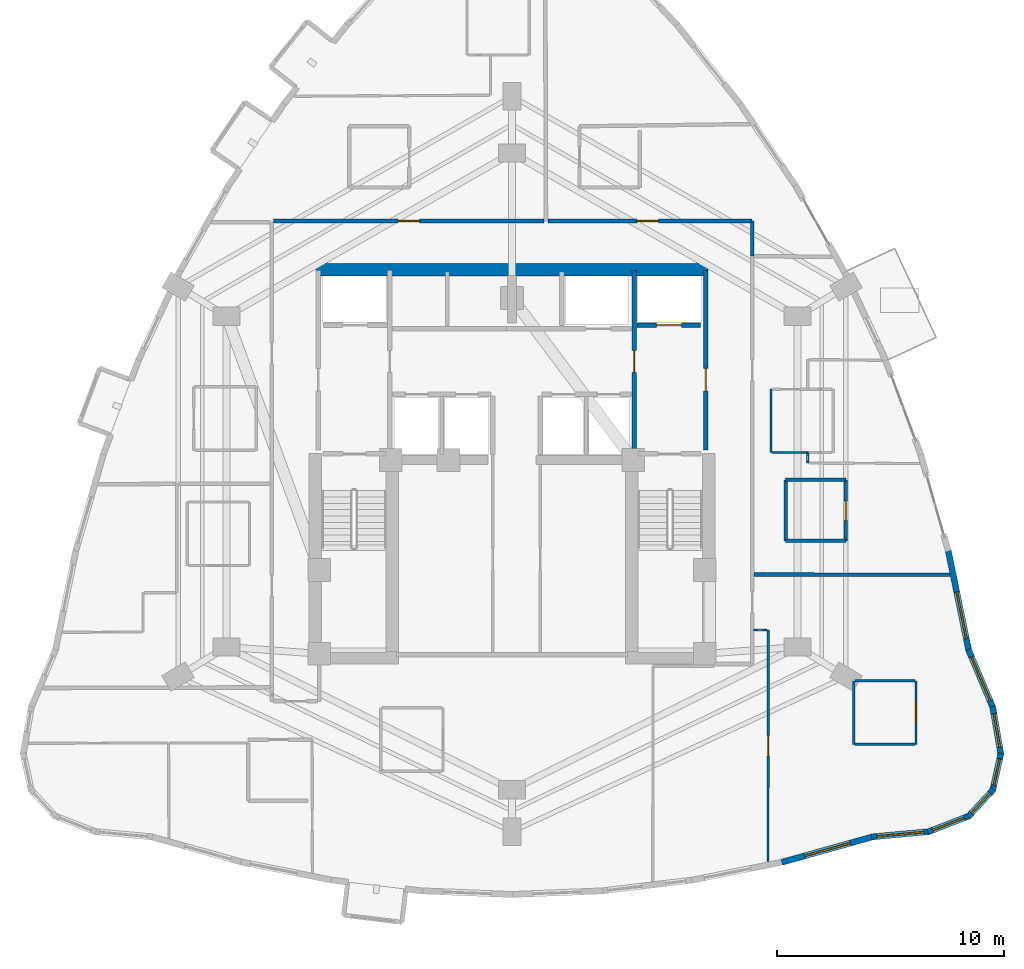
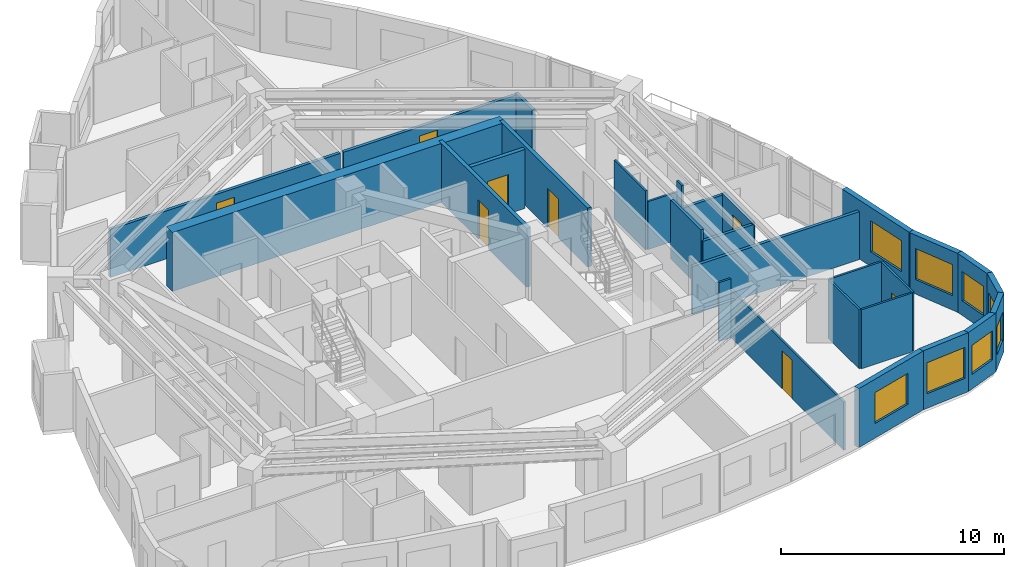
# One storey, part 11 of 14: 29 walls, 8 doors, 8 windows, 16 openings.
"""IFC4 building model written with IfcOpenShell, lengths in metres."""

from ifc_helpers import new_model, si_unit, direction, frame, frame_2d, origin, place, context, subcontext, project, spatial, rectangle, extrude, material, layer, layer_set, type_object, element, fill, save


model = new_model("IFC4")

# Units and contexts
model_context = context("Model", 3, precision=1e-05, world=origin(), true_north=direction((0.0, 1.0)))
body_context = subcontext(model_context, "Body", "Model", "MODEL_VIEW")
ifc_project = project(units=[si_unit("LENGTHUNIT", "METRE"), si_unit("AREAUNIT", "SQUARE_METRE"), si_unit("VOLUMEUNIT", "CUBIC_METRE"), si_unit("PLANEANGLEUNIT", "RADIAN"), si_unit("MASSUNIT", "GRAM", prefix="KILO")], contexts=[model_context])

# Site, building, storey
site_placement = place(None, origin())
site = spatial("IfcSite", under=ifc_project, at=site_placement, CompositionType="ELEMENT")
building_placement = place(site_placement, origin())
building = spatial("IfcBuilding", under=site, at=building_placement, Name="Miruveldt Soraemaru", CompositionType="ELEMENT")
storey_placement = place(building_placement, frame((0.0, 0.0, 142.39990234375)))
storey = spatial("IfcBuildingStorey", under=building, at=storey_placement, Name="L39", CompositionType="ELEMENT", Elevation=142.39990234375)

# Wall
ifc_material_1 = material(Name="Concrete C70/85 (70 MPa)", Category="concrete")
ifc_layer_1 = layer(ifc_material_1, 0.550048828125, Name="Concrete C70/85 (70 MPa)", Category="concrete")
ifc_layer_set_1 = layer_set([ifc_layer_1], Name="Concrete C70/85 (70 MPa)")
wall_type_1 = type_object("IfcWallType", Name="WALL-CW-550", PredefinedType="SHEAR", material=ifc_layer_set_1)
wall_1_placement = place(storey_placement, frame((35.35009765625, 52.449951171875, 0.0), z_axis=(0.0, 0.0, 1.0), x_axis=(1.0, 0.0, 0.0)))
element("IfcWall", 1, at=wall_1_placement, inside=storey, type_object=wall_type_1, Name="L39 Central Core Shear Wall N", PredefinedType="SHEAR", context=body_context, shape_type="SweptSolid", body=[
    extrude(rectangle(XDim=17.2998046875, YDim=0.550048828125, at=frame_2d((8.64990234375, 0.0))), origin(), (0.0, 0.0, 1.0), 3.235107421875),
])

# Wall, opening, window
ifc_material_2 = material(Name="Precast concrete C45/55 (45 MPa)", Category="concrete")
ifc_layer_2 = layer(ifc_material_2, 0.27001953125, Name="Precast concrete C45/55 (45 MPa)", Category="concrete")
ifc_layer_set_2 = layer_set([ifc_layer_2], Name="Precast concrete C45/55 (45 MPa)")
wall_type_2 = type_object("IfcWallType", Name="WALL-EXT-PC270", PredefinedType="SOLIDWALL", material=ifc_layer_set_2)
wall_2_placement = place(storey_placement, frame((55.900634765625, 26.29541015625, 0.0), z_axis=(0.0, 0.0, 1.0), x_axis=(0.962977296409, 0.269582504257, 0.0)))
wall_2 = element("IfcWall", 2, at=wall_2_placement, inside=storey, type_object=wall_type_2, Name="L39 Precast Concrete Facade Wall 28", PredefinedType="SOLIDWALL", context=body_context, shape_type="SweptSolid", body=[
    extrude(rectangle(XDim=4.201171875, YDim=0.27001953125, at=frame_2d((2.1005859375, 0.0))), origin(), (0.0, 0.0, 1.0), 3.235107421875),
])
opening_1_placement = place(wall_2_placement, frame((1.050048828125, 0.0, 0.800048828125)))
opening_1 = element("IfcOpeningElement", 3, at=opening_1_placement, cuts=wall_2, Name="Opening WN-1", PredefinedType="OPENING", context=body_context, shape_type="SweptSolid", body=[
    extrude(rectangle(XDim=2.10009765625, YDim=1.699951171875, at=frame_2d((1.050048828125, 0.85009765625))), frame((0.0, 0.14501953125, 0.0), z_axis=(0.0, -1.0, 0.0), x_axis=(1.0, 0.0, 0.0)), (0.0, 0.0, 1.0), 0.2900390625),
])
ifc_material_3 = material(Name="Triple low-e insulated glazing", Category="glass")
window_type_1 = type_object("IfcWindowType", Name="WIN-PUNCH-2100x1700", PartitioningType="SINGLE_PANEL", PredefinedType="WINDOW", material=ifc_material_3)
window_1_placement = place(opening_1_placement, origin())
window_1 = element("IfcWindow", 4, at=window_1_placement, inside=storey, type_object=window_type_1, Name="L39 Punched Triple-Glazed Window 28.1", OverallHeight=1.699951171875, OverallWidth=2.10009765625, PartitioningType="SINGLE_PANEL", PredefinedType="WINDOW", context=body_context, shape_type="SweptSolid", body=[
    extrude(rectangle(XDim=2.10009765625, YDim=1.699951171875, at=frame_2d((1.050048828125, 0.85009765625))), frame((0.0, 0.030029296875, 0.0), z_axis=(0.0, -1.0, 0.0), x_axis=(1.0, 0.0, 0.0)), (0.0, 0.0, 1.0), 0.06005859375),
])
fill(opening_1, window_1)

wall_3_placement = place(storey_placement, frame((59.877685546875, 27.415283203125, 0.0), z_axis=(0.0, 0.0, 1.0), x_axis=(0.995757534338, 0.092015937797, 0.0)))
wall_3 = element("IfcWall", 5, at=wall_3_placement, inside=storey, type_object=wall_type_2, Name="L39 Precast Concrete Facade Wall 29", PredefinedType="SOLIDWALL", context=body_context, shape_type="SweptSolid", body=[
    extrude(rectangle(XDim=2.5576171875, YDim=0.27001953125, at=frame_2d((1.27880859375, 0.0))), origin(), (0.0, 0.0, 1.0), 3.235107421875),
])
opening_2_placement = place(wall_3_placement, frame((0.22900390625, 0.0, 0.800048828125)))
opening_2 = element("IfcOpeningElement", 6, at=opening_2_placement, cuts=wall_3, Name="Opening WN-1", PredefinedType="OPENING", context=body_context, shape_type="SweptSolid", body=[
    extrude(rectangle(XDim=2.10009765625, YDim=1.699951171875, at=frame_2d((1.050048828125, 0.85009765625))), frame((0.0, 0.14501953125, 0.0), z_axis=(0.0, -1.0, 0.0), x_axis=(1.0, 0.0, 0.0)), (0.0, 0.0, 1.0), 0.2900390625),
])
window_2_placement = place(opening_2_placement, origin())
window_2 = element("IfcWindow", 7, at=window_2_placement, inside=storey, type_object=window_type_1, Name="L39 Punched Triple-Glazed Window 29.1", OverallHeight=1.699951171875, OverallWidth=2.10009765625, PartitioningType="SINGLE_PANEL", PredefinedType="WINDOW", context=body_context, shape_type="SweptSolid", body=[
    extrude(rectangle(XDim=2.10009765625, YDim=1.699951171875, at=frame_2d((1.050048828125, 0.85009765625))), frame((0.0, 0.030029296875, 0.0), z_axis=(0.0, -1.0, 0.0), x_axis=(1.0, 0.0, 0.0)), (0.0, 0.0, 1.0), 0.06005859375),
])
fill(opening_2, window_2)

wall_4_placement = place(storey_placement, frame((62.35693359375, 27.634765625, 0.0), z_axis=(0.0, 0.0, 1.0), x_axis=(0.932276798219, 0.361745727692, 0.0)))
wall_4 = element("IfcWall", 8, at=wall_4_placement, inside=storey, type_object=wall_type_2, Name="L39 Precast Concrete Facade Wall 30", PredefinedType="SOLIDWALL", context=body_context, shape_type="SweptSolid", body=[
    extrude(rectangle(XDim=1.968017578125, YDim=0.27001953125, at=frame_2d((0.98388671875, 0.0))), origin(), (0.0, 0.0, 1.0), 3.235107421875),
])
opening_3_placement = place(wall_4_placement, frame((0.23388671875, 0.0, 0.800048828125)))
opening_3 = element("IfcOpeningElement", 9, at=opening_3_placement, cuts=wall_4, Name="Opening WN-3", PredefinedType="OPENING", context=body_context, shape_type="SweptSolid", body=[
    extrude(rectangle(XDim=1.5, YDim=1.60009765625, at=frame_2d((0.75, 0.800048828125))), frame((0.0, 0.14501953125, 0.0), z_axis=(0.0, -1.0, 0.0), x_axis=(1.0, 0.0, 0.0)), (0.0, 0.0, 1.0), 0.2900390625),
])
window_type_2 = type_object("IfcWindowType", Name="WIN-PUNCH-1500x1600", PartitioningType="SINGLE_PANEL", PredefinedType="WINDOW", material=ifc_material_3)
window_3_placement = place(opening_3_placement, origin())
window_3 = element("IfcWindow", 10, at=window_3_placement, inside=storey, type_object=window_type_2, Name="L39 Punched Triple-Glazed Window 30.1", OverallHeight=1.60009765625, OverallWidth=1.5, PartitioningType="SINGLE_PANEL", PredefinedType="WINDOW", context=body_context, shape_type="SweptSolid", body=[
    extrude(rectangle(XDim=1.5, YDim=1.60009765625, at=frame_2d((0.75, 0.800048828125))), frame((0.0, 0.030029296875, 0.0), z_axis=(0.0, -1.0, 0.0), x_axis=(1.0, 0.0, 0.0)), (0.0, 0.0, 1.0), 0.06005859375),
])
fill(opening_3, window_3)

wall_5_placement = place(storey_placement, frame((64.13525390625, 28.30810546875, 0.0), z_axis=(0.0, 0.0, 1.0), x_axis=(0.680112240973, 0.73310800001, 0.0)))
wall_5 = element("IfcWall", 11, at=wall_5_placement, inside=storey, type_object=wall_type_2, Name="L39 Precast Concrete Facade Wall 31", PredefinedType="SOLIDWALL", context=body_context, shape_type="SweptSolid", body=[
    extrude(rectangle(XDim=1.630859375, YDim=0.27001953125, at=frame_2d((0.8154296875, 0.0))), origin(), (0.0, 0.0, 1.0), 3.235107421875),
])
opening_4_placement = place(wall_5_placement, frame((0.216064453125, 0.0, 0.780029296875)))
opening_4 = element("IfcOpeningElement", 12, at=opening_4_placement, cuts=wall_5, Name="Opening WN-4", PredefinedType="OPENING", context=body_context, shape_type="SweptSolid", body=[
    extrude(rectangle(XDim=1.199951171875, YDim=1.550048828125, at=frame_2d((0.60009765625, 0.77490234375))), frame((0.0, 0.14501953125, 0.0), z_axis=(0.0, -1.0, 0.0), x_axis=(1.0, 0.0, 0.0)), (0.0, 0.0, 1.0), 0.2900390625),
])
window_type_3 = type_object("IfcWindowType", Name="WIN-PUNCH-1200x1550", PartitioningType="SINGLE_PANEL", PredefinedType="WINDOW", material=ifc_material_3)
window_4_placement = place(opening_4_placement, origin())
window_4 = element("IfcWindow", 13, at=window_4_placement, inside=storey, type_object=window_type_3, Name="L39 Punched Triple-Glazed Window 31.1", OverallHeight=1.550048828125, OverallWidth=1.199951171875, PartitioningType="SINGLE_PANEL", PredefinedType="WINDOW", context=body_context, shape_type="SweptSolid", body=[
    extrude(rectangle(XDim=1.199951171875, YDim=1.550048828125, at=frame_2d((0.60009765625, 0.77490234375))), frame((0.0, 0.030029296875, 0.0), z_axis=(0.0, -1.0, 0.0), x_axis=(1.0, 0.0, 0.0)), (0.0, 0.0, 1.0), 0.06005859375),
])
fill(opening_4, window_4)

wall_6_placement = place(storey_placement, frame((65.213134765625, 29.44384765625, 0.0), z_axis=(0.0, 0.0, 1.0), x_axis=(0.215811962155, 0.976434942529, 0.0)))
wall_6 = element("IfcWall", 14, at=wall_6_placement, inside=storey, type_object=wall_type_2, Name="L39 Precast Concrete Facade Wall 32", PredefinedType="SOLIDWALL", context=body_context, shape_type="SweptSolid", body=[
    extrude(rectangle(XDim=1.71044921875, YDim=0.27001953125, at=frame_2d((0.855224609375, 0.0))), origin(), (0.0, 0.0, 1.0), 3.235107421875),
])
opening_5_placement = place(wall_6_placement, frame((0.2548828125, 0.0, 0.780029296875)))
opening_5 = element("IfcOpeningElement", 15, at=opening_5_placement, cuts=wall_6, Name="Opening WN-4", PredefinedType="OPENING", context=body_context, shape_type="SweptSolid", body=[
    extrude(rectangle(XDim=1.199951171875, YDim=1.550048828125, at=frame_2d((0.60009765625, 0.77490234375))), frame((0.0, 0.14501953125, 0.0), z_axis=(0.0, -1.0, 0.0), x_axis=(1.0, 0.0, 0.0)), (0.0, 0.0, 1.0), 0.2900390625),
])
window_5_placement = place(opening_5_placement, origin())
window_5 = element("IfcWindow", 16, at=window_5_placement, inside=storey, type_object=window_type_3, Name="L39 Punched Triple-Glazed Window 32.1", OverallHeight=1.550048828125, OverallWidth=1.199951171875, PartitioningType="SINGLE_PANEL", PredefinedType="WINDOW", context=body_context, shape_type="SweptSolid", body=[
    extrude(rectangle(XDim=1.199951171875, YDim=1.550048828125, at=frame_2d((0.60009765625, 0.77490234375))), frame((0.0, 0.030029296875, 0.0), z_axis=(0.0, -1.0, 0.0), x_axis=(1.0, 0.0, 0.0)), (0.0, 0.0, 1.0), 0.06005859375),
])
fill(opening_5, window_5)

wall_7_placement = place(storey_placement, frame((65.58056640625, 31.04541015625, 0.0), z_axis=(0.0, 0.0, 1.0), x_axis=(-0.169346607256, 0.985556556779, 0.0)))
wall_7 = element("IfcWall", 17, at=wall_7_placement, inside=storey, type_object=wall_type_2, Name="L39 Precast Concrete Facade Wall 33", PredefinedType="SOLIDWALL", context=body_context, shape_type="SweptSolid", body=[
    extrude(rectangle(XDim=2.15966796875, YDim=0.27001953125, at=frame_2d((1.079833984375, 0.0))), origin(), (0.0, 0.0, 1.0), 3.235107421875),
])
opening_6_placement = place(wall_7_placement, frame((0.330078125, 0.0, 0.800048828125)))
opening_6 = element("IfcOpeningElement", 18, at=opening_6_placement, cuts=wall_7, Name="Opening WN-3", PredefinedType="OPENING", context=body_context, shape_type="SweptSolid", body=[
    extrude(rectangle(XDim=1.5, YDim=1.60009765625, at=frame_2d((0.75, 0.800048828125))), frame((0.0, 0.14501953125, 0.0), z_axis=(0.0, -1.0, 0.0), x_axis=(1.0, 0.0, 0.0)), (0.0, 0.0, 1.0), 0.2900390625),
])
window_6_placement = place(opening_6_placement, origin())
window_6 = element("IfcWindow", 19, at=window_6_placement, inside=storey, type_object=window_type_2, Name="L39 Punched Triple-Glazed Window 33.1", OverallHeight=1.60009765625, OverallWidth=1.5, PartitioningType="SINGLE_PANEL", PredefinedType="WINDOW", context=body_context, shape_type="SweptSolid", body=[
    extrude(rectangle(XDim=1.5, YDim=1.60009765625, at=frame_2d((0.75, 0.800048828125))), frame((0.0, 0.030029296875, 0.0), z_axis=(0.0, -1.0, 0.0), x_axis=(1.0, 0.0, 0.0)), (0.0, 0.0, 1.0), 0.06005859375),
])
fill(opening_6, window_6)

wall_8_placement = place(storey_placement, frame((65.234375, 33.107177734375, 0.0), z_axis=(0.0, 0.0, 1.0), x_axis=(-0.388633467157, 0.921392439846, 0.0)))
wall_8 = element("IfcWall", 20, at=wall_8_placement, inside=storey, type_object=wall_type_2, Name="L39 Precast Concrete Facade Wall 34", PredefinedType="SOLIDWALL", context=body_context, shape_type="SweptSolid", body=[
    extrude(rectangle(XDim=2.8017578125, YDim=0.27001953125, at=frame_2d((1.40087890625, 0.0))), origin(), (0.0, 0.0, 1.0), 3.235107421875),
])
opening_7_placement = place(wall_8_placement, frame((0.35107421875, 0.0, 0.800048828125)))
opening_7 = element("IfcOpeningElement", 21, at=opening_7_placement, cuts=wall_8, Name="Opening WN-1", PredefinedType="OPENING", context=body_context, shape_type="SweptSolid", body=[
    extrude(rectangle(XDim=2.10009765625, YDim=1.699951171875, at=frame_2d((1.050048828125, 0.85009765625))), frame((0.0, 0.14501953125, 0.0), z_axis=(0.0, -1.0, 0.0), x_axis=(1.0, 0.0, 0.0)), (0.0, 0.0, 1.0), 0.2900390625),
])
window_7_placement = place(opening_7_placement, origin())
window_7 = element("IfcWindow", 22, at=window_7_placement, inside=storey, type_object=window_type_1, Name="L39 Punched Triple-Glazed Window 34.1", OverallHeight=1.699951171875, OverallWidth=2.10009765625, PartitioningType="SINGLE_PANEL", PredefinedType="WINDOW", context=body_context, shape_type="SweptSolid", body=[
    extrude(rectangle(XDim=2.10009765625, YDim=1.699951171875, at=frame_2d((1.050048828125, 0.85009765625))), frame((0.0, 0.030029296875, 0.0), z_axis=(0.0, -1.0, 0.0), x_axis=(1.0, 0.0, 0.0)), (0.0, 0.0, 1.0), 0.06005859375),
])
fill(opening_7, window_7)

wall_9_placement = place(storey_placement, frame((64.166259765625, 35.622314453125, 0.0), z_axis=(0.0, 0.0, 1.0), x_axis=(-0.201589720154, 0.979470053002, 0.0)))
wall_9 = element("IfcWall", 23, at=wall_9_placement, inside=storey, type_object=wall_type_2, Name="L39 Precast Concrete Facade Wall 35", PredefinedType="SOLIDWALL", context=body_context, shape_type="SweptSolid", body=[
    extrude(rectangle(XDim=4.577880859375, YDim=0.27001953125, at=frame_2d((2.2890625, 0.0))), origin(), (0.0, 0.0, 1.0), 3.235107421875),
])
opening_8_placement = place(wall_9_placement, frame((0.56396484375, 0.0, 0.800048828125)))
opening_8 = element("IfcOpeningElement", 24, at=opening_8_placement, cuts=wall_9, Name="Opening WN-1", PredefinedType="OPENING", context=body_context, shape_type="SweptSolid", body=[
    extrude(rectangle(XDim=2.10009765625, YDim=1.699951171875, at=frame_2d((1.050048828125, 0.85009765625))), frame((0.0, 0.14501953125, 0.0), z_axis=(0.0, -1.0, 0.0), x_axis=(1.0, 0.0, 0.0)), (0.0, 0.0, 1.0), 0.2900390625),
])
window_8_placement = place(opening_8_placement, origin())
window_8 = element("IfcWindow", 25, at=window_8_placement, inside=storey, type_object=window_type_1, Name="L39 Punched Triple-Glazed Window 35.1", OverallHeight=1.699951171875, OverallWidth=2.10009765625, PartitioningType="SINGLE_PANEL", PredefinedType="WINDOW", context=body_context, shape_type="SweptSolid", body=[
    extrude(rectangle(XDim=2.10009765625, YDim=1.699951171875, at=frame_2d((1.050048828125, 0.85009765625))), frame((0.0, 0.030029296875, 0.0), z_axis=(0.0, -1.0, 0.0), x_axis=(1.0, 0.0, 0.0)), (0.0, 0.0, 1.0), 0.06005859375),
])
fill(opening_8, window_8)

# Wall, opening, door
ifc_material_4 = material(Name="Gypsum plasterboard lining", Category="gypsum")
ifc_layer_3 = layer(ifc_material_4, 0.10009765625, Name="Gypsum plasterboard lining", Category="gypsum")
ifc_layer_set_3 = layer_set([ifc_layer_3], Name="Gypsum plasterboard lining")
wall_type_3 = type_object("IfcWallType", Name="WALL-INT-P100", PredefinedType="PARTITIONING", material=ifc_layer_set_3)
wall_10_placement = place(storey_placement, frame((55.31298828125, 36.551025390625, 0.0), z_axis=(0.0, 0.0, 1.0), x_axis=(-0.001361648006, -0.999999072957, 0.0)))
wall_10 = element("IfcWall", 26, at=wall_10_placement, inside=storey, type_object=wall_type_3, Name="L39 Partition Wall 64", PredefinedType="PARTITIONING", context=body_context, shape_type="SweptSolid", body=[
    extrude(rectangle(XDim=10.219970703125, YDim=0.10009765625, at=frame_2d((5.10986328125, 0.0))), origin(), (0.0, 0.0, 1.0), 2.635009765625),
])
opening_9_placement = place(wall_10_placement, frame((4.64990234375, 0.0, 0.0)))
opening_9 = element("IfcOpeningElement", 27, at=opening_9_placement, cuts=wall_10, Name="Opening D3A", PredefinedType="OPENING", context=body_context, shape_type="SweptSolid", body=[
    extrude(rectangle(XDim=0.919921875, YDim=2.10009765625, at=frame_2d((0.4599609375, 1.050048828125))), frame((0.0, 0.06005859375, 0.0), z_axis=(0.0, -1.0, 0.0), x_axis=(1.0, 0.0, 0.0)), (0.0, 0.0, 1.0), 0.1201171875),
])
ifc_material_5 = material(Name="Anodised aluminium EN AW-6063 T6", Category="aluminium")
door_type_1 = type_object("IfcDoorType", Name="DOOR-INT-920", OperationType="NOTDEFINED", PredefinedType="DOOR", material=ifc_material_5)
door_1_placement = place(opening_9_placement, origin())
door_1 = element("IfcDoor", 28, at=door_1_placement, inside=storey, type_object=door_type_1, Name="L39 Unit 3906 BD1 Door", OperationType="SINGLE_SWING_LEFT", OverallHeight=2.10009765625, OverallWidth=0.919921875, PredefinedType="DOOR", context=body_context, shape_type="SweptSolid", body=[
    extrude(rectangle(XDim=0.919921875, YDim=2.10009765625, at=frame_2d((0.4599609375, 1.050048828125))), frame((0.0, 0.02490234375, 0.0), z_axis=(0.0, -1.0, 0.0), x_axis=(1.0, 0.0, 0.0)), (0.0, 0.0, 1.0), 0.050048828125),
])
fill(opening_9, door_1)

wall_11_placement = place(storey_placement, frame((61.830078125, 31.5048828125, 0.0), z_axis=(0.0, 0.0, 1.0), x_axis=(0.0, 1.0, 0.0)))
wall_11 = element("IfcWall", 29, at=wall_11_placement, inside=storey, type_object=wall_type_3, Name="L39 Partition Wall 59", PredefinedType="PARTITIONING", context=body_context, shape_type="SweptSolid", body=[
    extrude(rectangle(XDim=2.800048828125, YDim=0.10009765625, at=frame_2d((1.39990234375, 0.0))), origin(), (0.0, 0.0, 1.0), 3.235107421875),
])
opening_10_placement = place(wall_11_placement, frame((0.93994140625, 0.0, 0.0)))
opening_10 = element("IfcOpeningElement", 30, at=opening_10_placement, cuts=wall_11, Name="Opening D3A", PredefinedType="OPENING", context=body_context, shape_type="SweptSolid", body=[
    extrude(rectangle(XDim=0.919921875, YDim=2.10009765625, at=frame_2d((0.4599609375, 1.050048828125))), frame((0.0, 0.06005859375, 0.0), z_axis=(0.0, -1.0, 0.0), x_axis=(1.0, 0.0, 0.0)), (0.0, 0.0, 1.0), 0.1201171875),
])
door_2_placement = place(opening_10_placement, origin())
door_2 = element("IfcDoor", 31, at=door_2_placement, inside=storey, type_object=door_type_1, Name="L39 Unit 3906 KIT Door", OperationType="SINGLE_SWING_RIGHT", OverallHeight=2.10009765625, OverallWidth=0.919921875, PredefinedType="DOOR", context=body_context, shape_type="SweptSolid", body=[
    extrude(rectangle(XDim=0.919921875, YDim=2.10009765625, at=frame_2d((0.4599609375, 1.050048828125))), frame((0.0, 0.02490234375, 0.0), z_axis=(0.0, -1.0, 0.0), x_axis=(1.0, 0.0, 0.0)), (0.0, 0.0, 1.0), 0.050048828125),
])
fill(opening_10, door_2)

# Walls
wall_12_placement = place(storey_placement, frame((59.080078125, 34.304931640625, 0.0), z_axis=(0.0, 0.0, 1.0), x_axis=(0.0, -1.0, 0.0)))
element("IfcWall", 32, at=wall_12_placement, inside=storey, type_object=wall_type_3, Name="L39 Partition Wall 61", PredefinedType="PARTITIONING", context=body_context, shape_type="SweptSolid", body=[
    extrude(rectangle(XDim=2.800048828125, YDim=0.10009765625, at=frame_2d((1.39990234375, 0.0))), origin(), (0.0, 0.0, 1.0), 3.235107421875),
])
wall_13_placement = place(storey_placement, frame((55.429931640625, 47.180908203125, 0.0), z_axis=(0.0, 0.0, 1.0), x_axis=(0.0, -1.0, 0.0)))
element("IfcWall", 33, at=wall_13_placement, inside=storey, type_object=wall_type_3, Name="L39 Partition Wall 71", PredefinedType="PARTITIONING", context=body_context, shape_type="SweptSolid", body=[
    extrude(rectangle(XDim=2.7998046875, YDim=0.10009765625, at=frame_2d((1.39990234375, 0.0))), origin(), (0.0, 0.0, 1.0), 3.235107421875),
])
for number, where, z_axis, x_axis, name in (
    (34, (61.780029296875, 34.304931640625, 0.0), (0.0, 0.0, 1.0), (-1.0, 0.0, 0.0), "L39 Partition Wall 60"),
    (35, (59.1298828125, 31.5048828125, 0.0), (0.0, 0.0, 1.0), (1.0, 0.0, 0.0), "L39 Partition Wall 62"),
):
    element("IfcWall", number, at=place(storey_placement, frame(where, z_axis=z_axis, x_axis=x_axis)), inside=storey, type_object=wall_type_3, Name=name, PredefinedType="PARTITIONING", context=body_context, shape_type="SweptSolid", body=[
        extrude(rectangle(XDim=2.650146484375, YDim=0.10009765625, at=frame_2d((1.3251953125, 0.0))), origin(), (0.0, 0.0, 1.0), 3.235107421875),
    ])
wall_14_placement = place(storey_placement, frame((55.47998046875, 44.381103515625, 0.0), z_axis=(0.0, 0.0, 1.0), x_axis=(1.0, 0.0, 0.0)))
element("IfcWall", 36, at=wall_14_placement, inside=storey, type_object=wall_type_3, Name="L39 Partition Wall 72", PredefinedType="PARTITIONING", context=body_context, shape_type="SweptSolid", body=[
    extrude(rectangle(XDim=1.610107421875, YDim=0.10009765625, at=frame_2d((0.80517578125, 0.0))), origin(), (0.0, 0.0, 1.0), 2.635009765625),
])
wall_15_placement = place(storey_placement, frame((54.64990234375, 36.551025390625, 0.0), z_axis=(0.0, 0.0, 1.0), x_axis=(1.0, 0.0, 0.0)))
element("IfcWall", 37, at=wall_15_placement, inside=storey, type_object=wall_type_3, Name="L39 Partition Wall 63", PredefinedType="PARTITIONING", context=body_context, shape_type="SweptSolid", body=[
    extrude(rectangle(XDim=0.613037109375, YDim=0.10009765625, at=frame_2d((0.306640625, 0.0))), origin(), (0.0, 0.0, 1.0), 3.235107421875),
])
wall_16_placement = place(storey_placement, frame((57.050048828125, 43.91796875, 0.0), z_axis=(0.0, 0.0, 1.0), x_axis=(0.0, 1.0, 0.0)))
element("IfcWall", 38, at=wall_16_placement, inside=storey, type_object=wall_type_3, Name="L39 Partition Wall 74", PredefinedType="PARTITIONING", context=body_context, shape_type="SweptSolid", body=[
    extrude(rectangle(XDim=0.463134765625, YDim=0.10009765625, at=frame_2d((0.2314453125, 0.0))), origin(), (0.0, 0.0, 1.0), 3.235107421875),
])

# Wall, opening, door
ifc_layer_4 = layer(ifc_material_4, 0.14990234375, Name="Gypsum plasterboard lining", Category="gypsum")
ifc_layer_set_4 = layer_set([ifc_layer_4], Name="Gypsum plasterboard lining")
wall_type_4 = type_object("IfcWallType", Name="WALL-INT-PLUMB", PredefinedType="PLUMBINGWALL", material=ifc_layer_set_4)
wall_17_placement = place(storey_placement, frame((58.72998046875, 40.48095703125, 0.0), z_axis=(0.0, 0.0, 1.0), x_axis=(0.0, 1.0, 0.0)))
wall_17 = element("IfcWall", 39, at=wall_17_placement, inside=storey, type_object=wall_type_4, Name="L39 Partition Wall 66", PredefinedType="PLUMBINGWALL", context=body_context, shape_type="SweptSolid", body=[
    extrude(rectangle(XDim=2.699951171875, YDim=0.14990234375, at=frame_2d((1.35009765625, 0.0))), origin(), (0.0, 0.0, 1.0), 2.72314453125),
])
opening_11_placement = place(wall_17_placement, frame((0.909912109375, 0.0, 0.0)))
opening_11 = element("IfcOpeningElement", 40, at=opening_11_placement, cuts=wall_17, Name="Opening FD3", PredefinedType="OPENING", context=body_context, shape_type="SweptSolid", body=[
    extrude(rectangle(XDim=0.85009765625, YDim=2.10009765625, at=frame_2d((0.425048828125, 1.050048828125))), frame((0.0, 0.0849609375, 0.0), z_axis=(0.0, -1.0, 0.0), x_axis=(1.0, 0.0, 0.0)), (0.0, 0.0, 1.0), 0.169921875),
])
door_type_2 = type_object("IfcDoorType", Name="DOOR-FD3-850", OperationType="NOTDEFINED", PredefinedType="DOOR", material=ifc_material_5)
door_3_placement = place(opening_11_placement, origin())
door_3 = element("IfcDoor", 41, at=door_3_placement, inside=storey, type_object=door_type_2, Name="L39 Unit 3907 BTH Door", OperationType="SINGLE_SWING_LEFT", OverallHeight=2.10009765625, OverallWidth=0.85009765625, PredefinedType="DOOR", context=body_context, shape_type="SweptSolid", body=[
    extrude(rectangle(XDim=0.85009765625, YDim=2.10009765625, at=frame_2d((0.425048828125, 1.050048828125))), frame((0.0, 0.02490234375, 0.0), z_axis=(0.0, -1.0, 0.0), x_axis=(1.0, 0.0, 0.0)), (0.0, 0.0, 1.0), 0.050048828125),
])
fill(opening_11, door_3)

# Walls
wall_18_placement = place(storey_placement, frame((56.080078125, 43.180908203125, 0.0), z_axis=(0.0, 0.0, 1.0), x_axis=(0.0, -1.0, 0.0)))
element("IfcWall", 42, at=wall_18_placement, inside=storey, type_object=wall_type_4, Name="L39 Partition Wall 68", PredefinedType="PLUMBINGWALL", context=body_context, shape_type="SweptSolid", body=[
    extrude(rectangle(XDim=2.699951171875, YDim=0.14990234375, at=frame_2d((1.35009765625, 0.0))), origin(), (0.0, 0.0, 1.0), 3.235107421875),
])
for number, where, z_axis, x_axis, name in (
    (43, (58.72998046875, 43.180908203125, 0.0), (0.0, 0.0, 1.0), (-1.0, 0.0, 0.0), "L39 Partition Wall 67"),
    (44, (56.080078125, 40.48095703125, 0.0), (0.0, 0.0, 1.0), (1.0, 0.0, 0.0), "L39 Partition Wall 69"),
):
    element("IfcWall", number, at=place(storey_placement, frame(where, z_axis=z_axis, x_axis=x_axis)), inside=storey, type_object=wall_type_4, Name=name, PredefinedType="PLUMBINGWALL", context=body_context, shape_type="SweptSolid", body=[
        extrude(rectangle(XDim=2.64990234375, YDim=0.14990234375, at=frame_2d((1.324951171875, 0.0))), origin(), (0.0, 0.0, 1.0), 2.635009765625),
    ])

# Wall, opening, door
ifc_material_6 = material(Name="Concrete C40/50 (40 MPa)", Category="concrete")
ifc_layer_5 = layer(ifc_material_6, 0.159912109375, Name="Concrete C40/50 (40 MPa)", Category="concrete")
ifc_layer_set_5 = layer_set([ifc_layer_5], Name="Concrete C40/50 (40 MPa)")
wall_type_5 = type_object("IfcWallType", Name="WALL-INT-RC160", PredefinedType="SOLIDWALL", material=ifc_layer_set_5)
wall_19_placement = place(storey_placement, frame((45.419921875, 54.60009765625, 0.0), z_axis=(0.0, 0.0, 1.0), x_axis=(-1.0, 0.0, 0.0)))
wall_19 = element("IfcWall", 45, at=wall_19_placement, inside=storey, type_object=wall_type_5, Name="L39 Partition Wall 1", PredefinedType="SOLIDWALL", context=body_context, shape_type="SweptSolid", body=[
    extrude(rectangle(XDim=11.93994140625, YDim=0.159912109375, at=frame_2d((5.969970703125, 0.0))), origin(), (0.0, 0.0, 1.0), 2.635009765625),
])
opening_12_placement = place(wall_19_placement, frame((5.4951171875, 0.0, 0.0)))
opening_12 = element("IfcOpeningElement", 46, at=opening_12_placement, cuts=wall_19, Name="Opening FD2", PredefinedType="OPENING", context=body_context, shape_type="SweptSolid", body=[
    extrude(rectangle(XDim=0.949951171875, YDim=2.14990234375, at=frame_2d((0.47509765625, 1.074951171875))), frame((0.0, 0.08984375, 0.0), z_axis=(0.0, -1.0, 0.0), x_axis=(1.0, 0.0, 0.0)), (0.0, 0.0, 1.0), 0.179931640625),
])
door_type_3 = type_object("IfcDoorType", Name="DOOR-FD2-950", OperationType="NOTDEFINED", PredefinedType="DOOR", material=ifc_material_5)
door_4_placement = place(opening_12_placement, origin())
door_4 = element("IfcDoor", 47, at=door_4_placement, inside=storey, type_object=door_type_3, Name="L39 Unit 3901 Entrance Fire Door", OperationType="SINGLE_SWING_RIGHT", OverallHeight=2.14990234375, OverallWidth=0.949951171875, PredefinedType="DOOR", context=body_context, shape_type="SweptSolid", body=[
    extrude(rectangle(XDim=0.949951171875, YDim=2.14990234375, at=frame_2d((0.47509765625, 1.074951171875))), frame((0.0, 0.02490234375, 0.0), z_axis=(0.0, -1.0, 0.0), x_axis=(1.0, 0.0, 0.0)), (0.0, 0.0, 1.0), 0.050048828125),
])
fill(opening_12, door_4)

wall_20_placement = place(storey_placement, frame((54.60009765625, 54.60009765625, 0.0), z_axis=(0.0, 0.0, 1.0), x_axis=(-1.0, 0.0, 0.0)))
wall_20 = element("IfcWall", 48, at=wall_20_placement, inside=storey, type_object=wall_type_5, Name="L39 Partition Wall 3", PredefinedType="SOLIDWALL", context=body_context, shape_type="SweptSolid", body=[
    extrude(rectangle(XDim=9.01708984375, YDim=0.159912109375, at=frame_2d((4.508544921875, 0.0))), origin(), (0.0, 0.0, 1.0), 2.635009765625),
])
opening_13_placement = place(wall_20_placement, frame((4.14404296875, 0.0, 0.0)))
opening_13 = element("IfcOpeningElement", 49, at=opening_13_placement, cuts=wall_20, Name="Opening FD2", PredefinedType="OPENING", context=body_context, shape_type="SweptSolid", body=[
    extrude(rectangle(XDim=0.949951171875, YDim=2.14990234375, at=frame_2d((0.47509765625, 1.074951171875))), frame((0.0, 0.08984375, 0.0), z_axis=(0.0, -1.0, 0.0), x_axis=(1.0, 0.0, 0.0)), (0.0, 0.0, 1.0), 0.179931640625),
])
door_5_placement = place(opening_13_placement, origin())
door_5 = element("IfcDoor", 50, at=door_5_placement, inside=storey, type_object=door_type_3, Name="L39 Unit CL02 Entrance Fire Door", OperationType="SINGLE_SWING_LEFT", OverallHeight=2.14990234375, OverallWidth=0.949951171875, PredefinedType="DOOR", context=body_context, shape_type="SweptSolid", body=[
    extrude(rectangle(XDim=0.949951171875, YDim=2.14990234375, at=frame_2d((0.47509765625, 1.074951171875))), frame((0.0, 0.02490234375, 0.0), z_axis=(0.0, -1.0, 0.0), x_axis=(1.0, 0.0, 0.0)), (0.0, 0.0, 1.0), 0.050048828125),
])
fill(opening_13, door_5)

# Walls
wall_21_placement = place(storey_placement, frame((63.320068359375, 38.988037109375, 0.0), z_axis=(0.0, 0.0, 1.0), x_axis=(-0.999998877777, 0.001498146833, 0.0)))
element("IfcWall", 51, at=wall_21_placement, inside=storey, type_object=wall_type_5, Name="L39 Partition Wall 65", PredefinedType="SOLIDWALL", context=body_context, shape_type="SweptSolid", body=[
    extrude(rectangle(XDim=8.636962890625, YDim=0.159912109375, at=frame_2d((4.318359375, 0.0))), origin(), (0.0, 0.0, 1.0), 2.635009765625),
])
wall_22_placement = place(storey_placement, frame((54.60009765625, 53.052978515625, 0.0), z_axis=(0.0, 0.0, 1.0), x_axis=(0.0, 1.0, 0.0)))
element("IfcWall", 52, at=wall_22_placement, inside=storey, type_object=wall_type_5, Name="L39 Partition Wall 2", PredefinedType="SOLIDWALL", context=body_context, shape_type="SweptSolid", body=[
    extrude(rectangle(XDim=1.547119140625, YDim=0.159912109375, at=frame_2d((0.7734375, 0.0))), origin(), (0.0, 0.0, 1.0), 2.72314453125),
])

# Wall, opening, door
ifc_layer_6 = layer(ifc_material_6, 0.199951171875, Name="Concrete C40/50 (40 MPa)", Category="concrete")
ifc_layer_set_6 = layer_set([ifc_layer_6], Name="Concrete C40/50 (40 MPa)")
wall_type_6 = type_object("IfcWallType", Name="WALL-INT-RC200", PredefinedType="SOLIDWALL", material=ifc_layer_set_6)
wall_23_placement = place(storey_placement, frame((52.550048828125, 44.5, 0.0), z_axis=(0.0, 0.0, 1.0), x_axis=(0.0, 1.0, 0.0)))
wall_23 = element("IfcWall", 53, at=wall_23_placement, inside=storey, type_object=wall_type_6, Name="L39 Core Compartment Wall FFE-OUT", PredefinedType="SOLIDWALL", context=body_context, shape_type="SweptSolid", body=[
    extrude(rectangle(XDim=7.919921875, YDim=0.199951171875, at=frame_2d((3.9599609375, 0.0))), origin(), (0.0, 0.0, 1.0), 3.235107421875),
])
opening_14_placement = place(wall_23_placement, frame((2.60009765625, 0.0, 0.0)))
opening_14 = element("IfcOpeningElement", 54, at=opening_14_placement, cuts=wall_23, Name="Opening FD1", PredefinedType="OPENING", context=body_context, shape_type="SweptSolid", body=[
    extrude(rectangle(XDim=1.0, YDim=2.14990234375, at=frame_2d((0.5, 1.074951171875))), frame((0.0, 0.10986328125, 0.0), z_axis=(0.0, -1.0, 0.0), x_axis=(1.0, 0.0, 0.0)), (0.0, 0.0, 1.0), 0.219970703125),
])
door_type_4 = type_object("IfcDoorType", Name="DOOR-FD1-1000", OperationType="NOTDEFINED", PredefinedType="DOOR", material=ifc_material_5)
door_6_placement = place(opening_14_placement, frame((1.0, 0.0, 0.0), z_axis=(0.0, 0.0, 1.0), x_axis=(-1.0, 0.0, 0.0)))
door_6 = element("IfcDoor", 55, at=door_6_placement, inside=storey, type_object=door_type_4, Name="L39 East Firefighting Lobby Exit Door", OperationType="SINGLE_SWING_RIGHT", OverallHeight=2.14990234375, OverallWidth=1.0, PredefinedType="DOOR", context=body_context, shape_type="SweptSolid", body=[
    extrude(rectangle(XDim=1.0, YDim=2.14990234375, at=frame_2d((0.5, 1.074951171875))), frame((0.0, 0.02490234375, 0.0), z_axis=(0.0, -1.0, 0.0), x_axis=(1.0, 0.0, 0.0)), (0.0, 0.0, 1.0), 0.050048828125),
])
fill(opening_14, door_6)

wall_24_placement = place(storey_placement, frame((49.39990234375, 44.5, 0.0), z_axis=(0.0, 0.0, 1.0), x_axis=(0.0, 1.0, 0.0)))
wall_24 = element("IfcWall", 56, at=wall_24_placement, inside=storey, type_object=wall_type_6, Name="L39 Core Compartment Wall FFE-IN", PredefinedType="SOLIDWALL", context=body_context, shape_type="SweptSolid", body=[
    extrude(rectangle(XDim=7.919921875, YDim=0.199951171875, at=frame_2d((3.9599609375, 0.0))), origin(), (0.0, 0.0, 1.0), 3.235107421875),
])
opening_15_placement = place(wall_24_placement, frame((3.425048828125, 0.0, 0.0)))
opening_15 = element("IfcOpeningElement", 57, at=opening_15_placement, cuts=wall_24, Name="Opening FD2", PredefinedType="OPENING", context=body_context, shape_type="SweptSolid", body=[
    extrude(rectangle(XDim=0.949951171875, YDim=2.14990234375, at=frame_2d((0.47509765625, 1.074951171875))), frame((0.0, 0.10986328125, 0.0), z_axis=(0.0, -1.0, 0.0), x_axis=(1.0, 0.0, 0.0)), (0.0, 0.0, 1.0), 0.219970703125),
])
door_7_placement = place(opening_15_placement, origin())
door_7 = element("IfcDoor", 58, at=door_7_placement, inside=storey, type_object=door_type_3, Name="L39 Lift Lobby to East Fire Lobby Door", OperationType="SINGLE_SWING_LEFT", OverallHeight=2.14990234375, OverallWidth=0.949951171875, PredefinedType="DOOR", context=body_context, shape_type="SweptSolid", body=[
    extrude(rectangle(XDim=0.949951171875, YDim=2.14990234375, at=frame_2d((0.47509765625, 1.074951171875))), frame((0.0, 0.02490234375, 0.0), z_axis=(0.0, -1.0, 0.0), x_axis=(1.0, 0.0, 0.0)), (0.0, 0.0, 1.0), 0.050048828125),
])
fill(opening_15, door_7)

wall_25_placement = place(storey_placement, frame((49.52001953125, 50.0, 0.0), z_axis=(0.0, 0.0, 1.0), x_axis=(1.0, 0.0, 0.0)))
wall_25 = element("IfcWall", 59, at=wall_25_placement, inside=storey, type_object=wall_type_6, Name="L39 Core Compartment Wall FFL2-S", PredefinedType="SOLIDWALL", context=body_context, shape_type="SweptSolid", body=[
    extrude(rectangle(XDim=2.800048828125, YDim=0.199951171875, at=frame_2d((1.39990234375, 0.0))), origin(), (0.0, 0.0, 1.0), 3.235107421875),
])
opening_16_placement = place(wall_25_placement, frame((0.85009765625, 0.0, 0.0)))
opening_16 = element("IfcOpeningElement", 60, at=opening_16_placement, cuts=wall_25, Name="Opening LD2", PredefinedType="OPENING", context=body_context, shape_type="SweptSolid", body=[
    extrude(rectangle(XDim=1.10009765625, YDim=2.14990234375, at=frame_2d((0.550048828125, 1.074951171875))), frame((0.0, 0.10986328125, 0.0), z_axis=(0.0, -1.0, 0.0), x_axis=(1.0, 0.0, 0.0)), (0.0, 0.0, 1.0), 0.219970703125),
])
door_type_5 = type_object("IfcDoorType", Name="DOOR-LD2-1100", OperationType="SLIDING_TO_LEFT", PredefinedType="DOOR", material=ifc_material_5)
door_8_placement = place(opening_16_placement, origin())
door_8 = element("IfcDoor", 61, at=door_8_placement, inside=storey, type_object=door_type_5, Name="L39 FFL-2 Landing Door", OperationType="SLIDING_TO_LEFT", OverallHeight=2.14990234375, OverallWidth=1.10009765625, PredefinedType="DOOR", context=body_context, shape_type="SweptSolid", body=[
    extrude(rectangle(XDim=1.10009765625, YDim=2.14990234375, at=frame_2d((0.550048828125, 1.074951171875))), frame((0.0, 0.02490234375, 0.0), z_axis=(0.0, -1.0, 0.0), x_axis=(1.0, 0.0, 0.0)), (0.0, 0.0, 1.0), 0.050048828125),
])
fill(opening_16, door_8)

save(model, "model.ifc")
